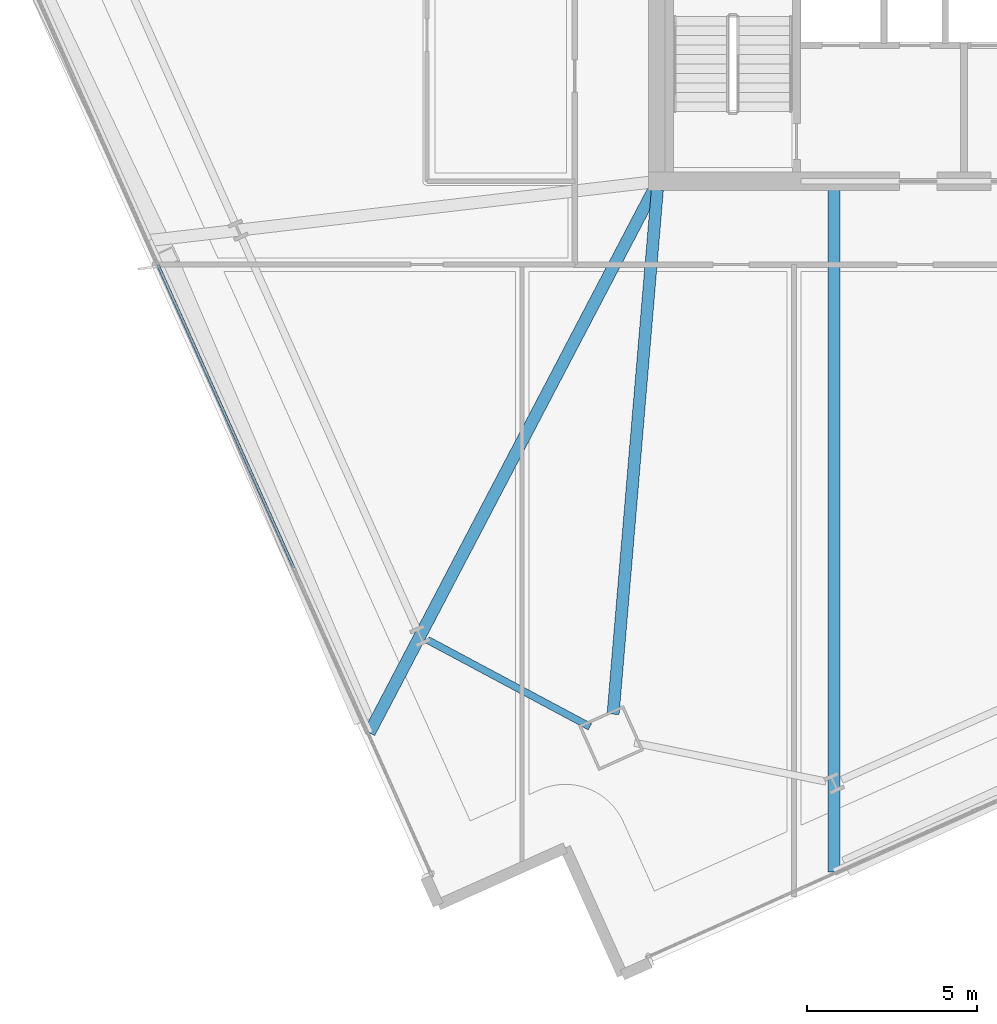
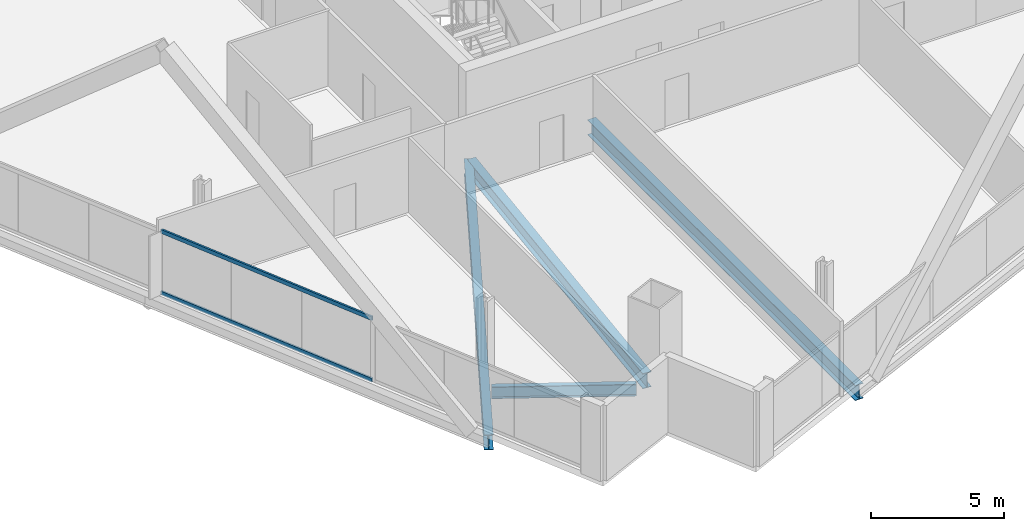
# One storey, part 4 of 38: 4 beams, 2 members, 1 element without a shape of its own.
"""IFC4 building model written with IfcOpenShell, lengths in metres."""

from ifc_helpers import new_model, si_unit, direction, frame, origin, origin_2d, place, context, subcontext, project, spatial, hollow_rectangle, i_section, extrude, material, material_profile, profile_set, type_object, element, aggregate, save


model = new_model("IFC4")

# Units and contexts
model_context = context("Model", 3, precision=1e-05, world=origin(), true_north=direction((0.0, 1.0)))
body_context = subcontext(model_context, "Body", "Model", "MODEL_VIEW")
ifc_project = project(units=[si_unit("LENGTHUNIT", "METRE"), si_unit("AREAUNIT", "SQUARE_METRE"), si_unit("VOLUMEUNIT", "CUBIC_METRE"), si_unit("PLANEANGLEUNIT", "RADIAN"), si_unit("MASSUNIT", "GRAM", prefix="KILO")], contexts=[model_context])

# Site, building, storey
site_placement = place(None, origin())
site = spatial("IfcSite", under=ifc_project, at=site_placement, CompositionType="ELEMENT")
building_placement = place(site_placement, origin())
building = spatial("IfcBuilding", under=site, at=building_placement, Name="Haldenkirk Collegiate Tower", CompositionType="ELEMENT")
storey_placement = place(building_placement, frame((0.0, 0.0, 109.199951171875)))
storey = spatial("IfcBuildingStorey", under=building, at=storey_placement, Name="L26", CompositionType="ELEMENT", Elevation=109.199951171875)

# Beams
ifc_material_1 = material(Name="Steel ASTM A992 Grade 50", Category="steel")
ifc_material_profile_1 = material_profile(ifc_material_1, i_section(OverallWidth=0.35498046875, OverallDepth=0.696044921875, WebThickness=0.015380859375, FlangeThickness=0.02490234375, at=origin_2d()), Name="W27X146")
ifc_profile_set_1 = profile_set([ifc_material_profile_1], Name="Steel ASTM A992 Grade 50")
beam_type_1 = type_object("IfcBeamType", Name="BM-GIRDER-W27X146", PredefinedType="BEAM", material=ifc_profile_set_1)
beam_1_placement = place(storey_placement, frame((25.67578125, 2.3203125, -0.64794921875), z_axis=(0.084153524607, 0.996452800837, 0.0), x_axis=(-0.996452800837, 0.084153524607, 0.0)))
element("IfcBeam", 1, at=beam_1_placement, inside=storey, type_object=beam_type_1, Name="L26 primary floor girder 01", PredefinedType="BEAM", context=body_context, shape_type="SweptSolid", body=[
    extrude(i_section(OverallWidth=0.35498046875, OverallDepth=0.696044921875, WebThickness=0.015380859375, FlangeThickness=0.02490234375, at=origin_2d()), origin(), (0.0, 0.0, 1.0), 15.48046875),
])
beam_2_placement = place(storey_placement, frame((32.181396484375, -2.321044921875, -0.64794921875), z_axis=(0.0, 1.0, 0.0), x_axis=(-1.0, 0.0, 0.0)))
element("IfcBeam", 2, at=beam_2_placement, inside=storey, type_object=beam_type_1, Name="L26 primary floor girder 05", PredefinedType="BEAM", context=body_context, shape_type="SweptSolid", body=[
    extrude(i_section(OverallWidth=0.35498046875, OverallDepth=0.696044921875, WebThickness=0.015380859375, FlangeThickness=0.02490234375, at=origin_2d()), origin(), (0.0, 0.0, 1.0), 20.066162109375),
])
beam_3_placement = place(storey_placement, frame((18.50244140625, 1.768310546875, -0.64794921875), z_axis=(0.463795406844, 0.8859423348, 0.0), x_axis=(-0.8859423348, 0.463795406844, 0.0)))
element("IfcBeam", 3, at=beam_3_placement, inside=storey, type_object=beam_type_1, Name="L26 primary floor girder 16", PredefinedType="BEAM", context=body_context, shape_type="SweptSolid", body=[
    extrude(i_section(OverallWidth=0.35498046875, OverallDepth=0.696044921875, WebThickness=0.015380859375, FlangeThickness=0.02490234375, at=origin_2d()), origin(), (0.0, 0.0, 1.0), 18.06640625),
])
ifc_material_profile_2 = material_profile(ifc_material_1, i_section(OverallWidth=0.2119140625, OverallDepth=0.5439453125, WebThickness=0.01318359375, FlangeThickness=0.021240234375, at=origin_2d()), Name="W21X83")
ifc_profile_set_2 = profile_set([ifc_material_profile_2], Name="Steel ASTM A992 Grade 50")
beam_type_2 = type_object("IfcBeamType", Name="BM-SPANDREL-W21X83", PredefinedType="SPANDREL", material=ifc_profile_set_2)
beam_4_placement = place(storey_placement, frame((20.21240234375, 4.505615234375, -0.572021484375), z_axis=(0.881987493029, -0.471272810737, 0.0), x_axis=(0.471272810737, 0.881987493029, 0.0)))
element("IfcBeam", 4, at=beam_4_placement, inside=storey, type_object=beam_type_2, Name="L26 perimeter spandrel beam 16", PredefinedType="SPANDREL", context=body_context, shape_type="SweptSolid", body=[
    extrude(i_section(OverallWidth=0.2119140625, OverallDepth=0.5439453125, WebThickness=0.01318359375, FlangeThickness=0.021240234375, at=origin_2d()), origin(), (0.0, 0.0, 1.0), 5.42236328125),
])

# Curtain wall, members
ifc_material_2 = material(Name="Anodised architectural bronze aluminium", Category="aluminium")
curtain_wall_type = type_object("IfcCurtainWallType", Name="CW-SYS1-CONVEX-LOW", PredefinedType="USERDEFINED", material=ifc_material_2)
curtain_wall_placement = place(storey_placement, origin())
curtain_wall = element("IfcCurtainWall", 5, at=curtain_wall_placement, inside=storey, type_object=curtain_wall_type, Name="L26 Lower tower convex bronze-framed unitised curtain wall", ObjectType="UNITISED CURTAIN WALL", PredefinedType="USERDEFINED")
ifc_material_profile_3 = material_profile(ifc_material_2, hollow_rectangle(XDim=0.080078125, YDim=0.179931640625, WallThickness=0.0048828125, at=origin_2d()), Name="CW-TRN-1A")
ifc_profile_set_3 = profile_set([ifc_material_profile_3], Name="Anodised architectural bronze aluminium")
member_type = type_object("IfcMemberType", Name="CW-TRN-1A", PredefinedType="USERDEFINED", material=ifc_profile_set_3)
member_1_placement = place(storey_placement, frame((16.2802734375, 6.62646484375, 0.0400390625), z_axis=(-0.409143437623, 0.912470080304, 0.0), x_axis=(-0.912470080304, -0.409143437623, 0.0)))
member_1 = element("IfcMember", 6, at=member_1_placement, type_object=member_type, Name="CW-1A transom 2.1", ObjectType="TRANSOM", PredefinedType="USERDEFINED", context=body_context, shape_type="SweptSolid", body=[
    extrude(hollow_rectangle(XDim=0.080078125, YDim=0.179931640625, WallThickness=0.0048828125, at=origin_2d()), origin(), (0.0, 0.0, 1.0), 9.77001953125),
])
member_2_placement = place(storey_placement, frame((16.2802734375, 6.62646484375, 2.861083984375), z_axis=(-0.409143437623, 0.912470080304, 0.0), x_axis=(-0.912470080304, -0.409143437623, 0.0)))
member_2 = element("IfcMember", 7, at=member_2_placement, type_object=member_type, Name="CW-1A transom 2.2", ObjectType="TRANSOM", PredefinedType="USERDEFINED", context=body_context, shape_type="SweptSolid", body=[
    extrude(hollow_rectangle(XDim=0.080078125, YDim=0.179931640625, WallThickness=0.0048828125, at=origin_2d()), origin(), (0.0, 0.0, 1.0), 9.77001953125),
])
aggregate(curtain_wall, [member_1, member_2])

save(model, "model.ifc")
